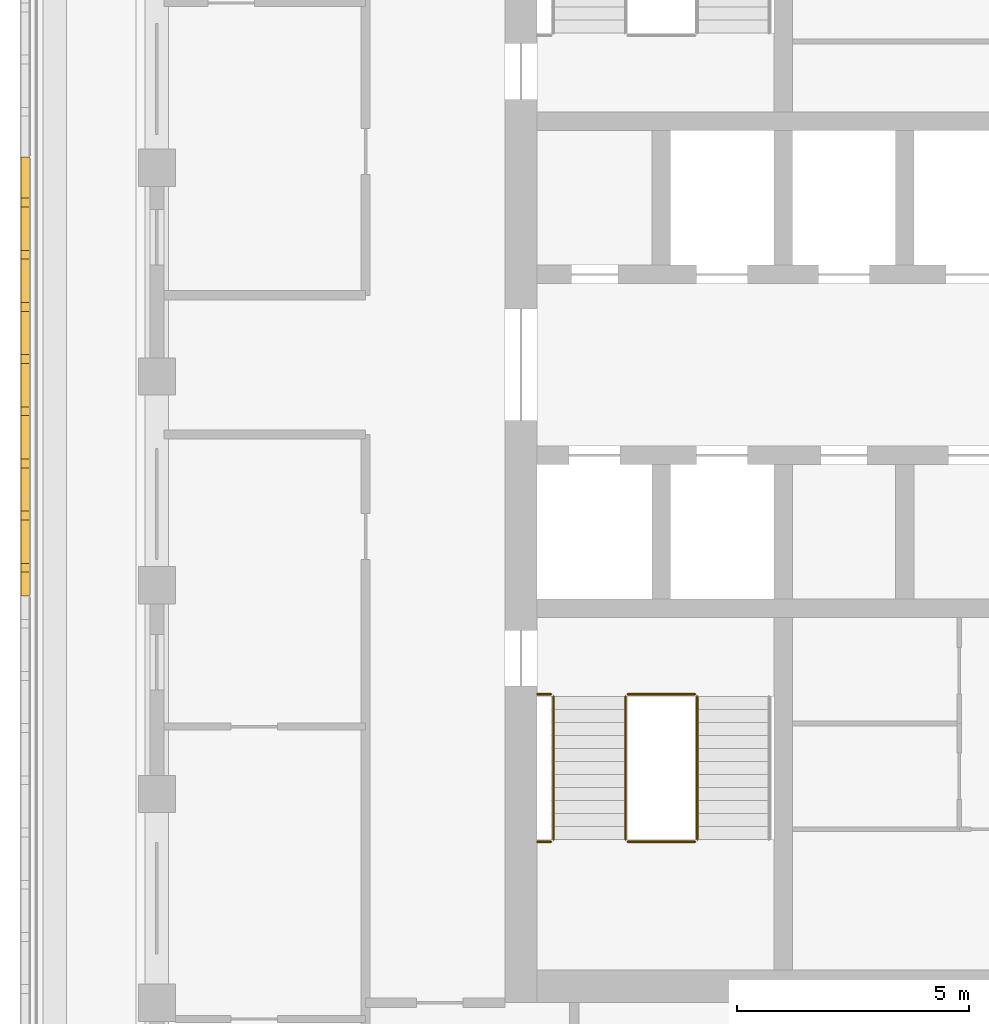
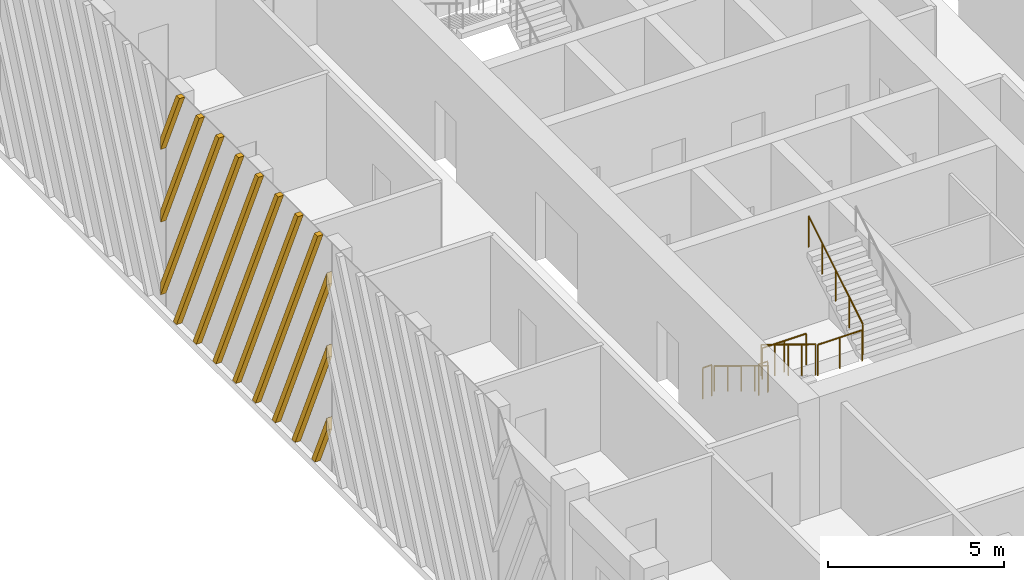
# One storey, part 10 of 17: 7 railings, 1 shading device.
"""IFC4 building model written with IfcOpenShell, lengths in metres."""

import ifcopenshell
import ifcopenshell.guid

model = None  # the IFC model being written
_history = None  # IfcOwnerHistory: only IFC2X3 demands one
_inside = {}  # id of a spatial element -> (the spatial element, [elements in it])
_under = {}  # id of a project, library or spatial element -> (it, [spatial elements below it])
_declared = {}  # id of a project -> (the project, [libraries it declares])
_typed = {}  # id of a type object -> (the type object, [elements of that type])
_made_of = {}  # id of a material, layer set ... -> (it, [elements and type objects made of it])


def new_model(schema):
    """Start an empty IFC model of exactly this schema.

    Asked for "IFC4X3", IfcOpenShell would pick the latest addendum, in which some entities
    have other attributes; the version numbers below select the first issue.
    IFC2X3 requires an IfcOwnerHistory on every rooted entity: one is made here for all.
    """
    global model, _history
    if schema == "IFC4X3":
        model = ifcopenshell.file(schema_version=(4, 3, 0, 0))
    else:
        model = ifcopenshell.file(schema=schema)
    _inside.clear()
    _under.clear()
    _declared.clear()
    _typed.clear()
    _made_of.clear()
    _history = None
    if model.schema == "IFC2X3":
        org = make("IfcOrganization", Name="unknown")
        user = make(
            "IfcPersonAndOrganization",
            ThePerson=make("IfcPerson", FamilyName="unknown"),
            TheOrganization=org,
        )
        app = make(
            "IfcApplication",
            ApplicationDeveloper=org,
            Version="unknown",
            ApplicationFullName="unknown",
            ApplicationIdentifier="unknown",
        )
        _history = make(
            "IfcOwnerHistory",
            OwningUser=user,
            OwningApplication=app,
            ChangeAction="ADDED",
            CreationDate=0,
        )
    return model


def make(cls, **values):
    """One entity of the class cls with the attributes given. An attribute that is None is left unset."""
    return model.create_entity(
        cls, **{name: value for name, value in values.items() if value is not None}
    )


def rooted(cls, **values):
    """An entity with a GlobalId (a new one), such as an element, a storey or a relation."""
    return make(cls, GlobalId=ifcopenshell.guid.new(), OwnerHistory=_history, **values)


def si_unit(unit_type, name, prefix=None):
    """IfcSIUnit, for example si_unit("LENGTHUNIT", "METRE", prefix="MILLI")."""
    return make("IfcSIUnit", UnitType=unit_type, Prefix=prefix, Name=name)


def assignment(units):
    """IfcUnitAssignment: the units of a project."""
    return None if units is None else make("IfcUnitAssignment", Units=units)


def point(xyz):
    """IfcCartesianPoint."""
    return None if xyz is None else make("IfcCartesianPoint", Coordinates=xyz)


def direction(xyz):
    """IfcDirection."""
    return None if xyz is None else make("IfcDirection", DirectionRatios=xyz)


def frame(location, z_axis=None, x_axis=None):
    """IfcAxis2Placement3D, a coordinate frame: its origin and axes. An axis left out is left unset."""
    return make(
        "IfcAxis2Placement3D",
        Location=point(location),
        Axis=direction(z_axis),
        RefDirection=direction(x_axis),
    )


def frame_2d(location, x_axis=None):
    """IfcAxis2Placement2D, a coordinate frame in the plane: its origin and x axis."""
    return make(
        "IfcAxis2Placement2D", Location=point(location), RefDirection=direction(x_axis)
    )


def origin():
    """The frame at (0, 0, 0) with its axes left unset."""
    return frame((0.0, 0.0, 0.0))


def origin_2d():
    """The frame at (0, 0) in the plane with its x axis left unset."""
    return frame_2d((0.0, 0.0))


def place(relative_to, where):
    """IfcLocalPlacement: puts the frame where relative to a parent placement (None: the world)."""
    return make(
        "IfcLocalPlacement", PlacementRelTo=relative_to, RelativePlacement=where
    )


def context(
    kind, dimensions, precision=None, world=None, true_north=None, identifier=None
):
    """IfcGeometricRepresentationContext, for example the 3D "Model" context."""
    return make(
        "IfcGeometricRepresentationContext",
        ContextIdentifier=identifier,
        ContextType=kind,
        CoordinateSpaceDimension=dimensions,
        Precision=precision,
        WorldCoordinateSystem=world,
        TrueNorth=true_north,
    )


def subcontext(parent, identifier, kind, view, scale=None):
    """IfcGeometricRepresentationSubContext, for example "Body" below "Model"."""
    return make(
        "IfcGeometricRepresentationSubContext",
        ContextIdentifier=identifier,
        ContextType=kind,
        ParentContext=parent,
        TargetScale=scale,
        TargetView=view,
    )


def project(units=None, contexts=None):
    """IfcProject with its units and contexts."""
    return rooted(
        "IfcProject",
        Name="project",
        RepresentationContexts=contexts,
        UnitsInContext=assignment(units),
    )


def spatial(cls, under=None, at=None, **own):
    """A site, building, storey or space (cls), placed at a placement, below another one or the project."""
    s = rooted(cls, ObjectPlacement=at, **own)
    if under is not None:
        _under.setdefault(under.id(), (under, []))[1].append(s)
    return s


def polyline(points):
    """IfcPolyline through the points."""
    return make("IfcPolyline", Points=[point(p) for p in points])


def profile(cls, at=None, kind="AREA", **sizes):
    """A parametric profile (cls). Its sizes go by their IFC names, for example OverallWidth=200.0."""
    return make(cls, ProfileType=kind, Position=at, **sizes)


def circle(**sizes):
    """IfcCircleProfileDef."""
    return profile("IfcCircleProfileDef", **sizes)


def outline(outer, holes=None, kind="AREA"):
    """IfcArbitraryClosedProfileDef: a profile drawn as a closed curve; with holes, ...WithVoids."""
    if holes is None:
        return make("IfcArbitraryClosedProfileDef", ProfileType=kind, OuterCurve=outer)
    return make(
        "IfcArbitraryProfileDefWithVoids",
        ProfileType=kind,
        OuterCurve=outer,
        InnerCurves=holes,
    )


def extrude(swept, where, along, depth):
    """IfcExtrudedAreaSolid: the profile swept, set in the frame where, extruded along a direction by depth."""
    return make(
        "IfcExtrudedAreaSolid",
        SweptArea=swept,
        Position=where,
        ExtrudedDirection=direction(along),
        Depth=depth,
    )


def shape(context_of_items, identifier, shape_type, items):
    """IfcShapeRepresentation: the items that make up one representation, for example the "Body"."""
    return make(
        "IfcShapeRepresentation",
        ContextOfItems=context_of_items,
        RepresentationIdentifier=identifier,
        RepresentationType=shape_type,
        Items=items,
    )


def source(mapping_origin, context_of_items, identifier, shape_type, items):
    """IfcRepresentationMap: a shape defined once, which mapped items show again and again."""
    return make(
        "IfcRepresentationMap",
        MappingOrigin=mapping_origin,
        MappedRepresentation=shape(context_of_items, identifier, shape_type, items),
    )


def transform(
    local_origin,
    x_axis=None,
    y_axis=None,
    z_axis=None,
    scale=None,
    scale2=None,
    scale3=None,
    uniform=True,
):
    """IfcCartesianTransformationOperator3D, or its non-uniform kind. x_axis, y_axis, z_axis: its Axis1, 2, 3."""
    if uniform:
        return make(
            "IfcCartesianTransformationOperator3D",
            Axis1=direction(x_axis),
            Axis2=direction(y_axis),
            LocalOrigin=point(local_origin),
            Scale=scale,
            Axis3=direction(z_axis),
        )
    return make(
        "IfcCartesianTransformationOperator3DnonUniform",
        Axis1=direction(x_axis),
        Axis2=direction(y_axis),
        LocalOrigin=point(local_origin),
        Scale=scale,
        Axis3=direction(z_axis),
        Scale2=scale2,
        Scale3=scale3,
    )


def mapped(mapping_source, mapping_target):
    """IfcMappedItem: shows the shape of a source again, moved by a transform."""
    return make(
        "IfcMappedItem", MappingSource=mapping_source, MappingTarget=mapping_target
    )


def material(Name=None, Category=None):
    """IfcMaterial."""
    return make("IfcMaterial", Name=Name, Category=Category)


def made_of(thing, what):
    """Note that an element or type object is made of a material, layer set ...; save() writes the relation."""
    if what is not None:
        _made_of.setdefault(what.id(), (what, []))[1].append(thing)
    return thing


def type_object(cls, material=None, **own):
    """A type object (cls), such as IfcWallType, which elements share."""
    return made_of(rooted(cls, **own), material)


def element(
    cls,
    number,
    at=None,
    inside=None,
    cuts=None,
    type_object=None,
    material=None,
    context=None,
    identifier="Body",
    shape_type=None,
    held_by="IfcProductDefinitionShape",
    body=None,
    shapes=None,
    **own,
):
    """One element of the class cls, such as IfcWall. Its Tag is "e" and its number.

    at: its placement. inside: the storey or other place that contains it. cuts: it is an
    opening in that element (IfcRelVoidsElement). A single representation is given by context,
    identifier, shape_type and body (its items); several are given by shapes. held_by: the class
    of the entity that holds the representations. save() writes the other relations.
    """
    e = rooted(cls, Tag="e%d" % number, ObjectPlacement=at, **own)
    if body is not None:
        shapes = [shape(context, identifier, shape_type, body)]
    if shapes is not None:
        e.Representation = make(held_by, Representations=shapes)
    if inside is not None:
        _inside.setdefault(inside.id(), (inside, []))[1].append(e)
    if cuts is not None:
        rooted(
            "IfcRelVoidsElement", RelatingBuildingElement=cuts, RelatedOpeningElement=e
        )
    if type_object is not None:
        _typed.setdefault(type_object.id(), (type_object, []))[1].append(e)
    return made_of(e, material)


def aggregate(whole, parts):
    """IfcRelAggregates: a whole, such as a stair, and the parts it consists of."""
    return rooted("IfcRelAggregates", RelatingObject=whole, RelatedObjects=parts)


def save(model, path):
    """Write the relations noted so far, then the file.

    IfcRelAggregates (storeys below a building ...), IfcRelContainedInSpatialStructure (elements
    in a storey), IfcRelDefinesByType, IfcRelAssociatesMaterial and IfcRelDeclares: one each for
    every whole, place, type object, material and project.
    """
    for whole, parts in _under.values():
        aggregate(whole, parts)
    for where, things in _inside.values():
        rooted(
            "IfcRelContainedInSpatialStructure",
            RelatedElements=things,
            RelatingStructure=where,
        )
    for kind, things in _typed.values():
        rooted("IfcRelDefinesByType", RelatedObjects=things, RelatingType=kind)
    for what, things in _made_of.values():
        rooted("IfcRelAssociatesMaterial", RelatedObjects=things, RelatingMaterial=what)
    for by, libraries in _declared.values():
        rooted("IfcRelDeclares", RelatingContext=by, RelatedDefinitions=libraries)
    model.write(path)


model = new_model("IFC4")

# Units and contexts
model_context = context("Model", 3, precision=1e-05, world=origin(), true_north=direction((0.0, 1.0)))
body_context = subcontext(model_context, "Body", "Model", "MODEL_VIEW")
ifc_project = project(units=[si_unit("LENGTHUNIT", "METRE"), si_unit("AREAUNIT", "SQUARE_METRE"), si_unit("VOLUMEUNIT", "CUBIC_METRE"), si_unit("PLANEANGLEUNIT", "RADIAN"), si_unit("MASSUNIT", "GRAM", prefix="KILO")], contexts=[model_context])

# Site, building, storey
site_placement = place(None, origin())
site = spatial("IfcSite", under=ifc_project, at=site_placement, CompositionType="ELEMENT")
building_placement = place(site_placement, origin())
building = spatial("IfcBuilding", under=site, at=building_placement, Name="Corbel Stack Research Tower", CompositionType="ELEMENT")
storey_placement = place(building_placement, frame((0.0, 0.0, 239.800048828125)))
storey = spatial("IfcBuildingStorey", under=building, at=storey_placement, Name="L54", CompositionType="ELEMENT", Elevation=239.800048828125)

# Railings
ifc_material_1 = material(Name="Steel S355", Category="steel")
railing_type_1 = type_object("IfcRailingType", Name="Stair guard 1100", PredefinedType="GUARDRAIL", material=ifc_material_1)
railing_1_placement = place(storey_placement, frame((-7.89990234375, -2.39990234375, 0.1708984375)))
element("IfcRailing", 1, at=railing_1_placement, inside=storey, type_object=railing_type_1, Name="L54 ST-W1 stair guard 1", PredefinedType="GUARDRAIL", context=body_context, shape_type="SweptSolid", body=[
    extrude(circle(Radius=0.02392578125, at=origin_2d()), frame((0.0, 0.0, 1.076171875), z_axis=(0.0, -0.853666305674, 0.52082035152), x_axis=(1.0, 0.0, 0.0)), (0.0, 0.0, 1.0), 3.608154296875),
    extrude(circle(Radius=0.02099609375, at=origin_2d()), origin(), (0.0, 0.0, 1.0), 1.052001953125),
    extrude(circle(Radius=0.02099609375, at=origin_2d()), frame((0.0, -0.77001953125, 0.4697265625)), (0.0, 0.0, 1.0), 1.052001953125),
    extrude(circle(Radius=0.02099609375, at=origin_2d()), frame((0.0, -1.5400390625, 0.939453125)), (0.0, 0.0, 1.0), 1.052001953125),
    extrude(circle(Radius=0.02099609375, at=origin_2d()), frame((0.0, -2.31005859375, 1.409423828125)), (0.0, 0.0, 1.0), 1.052001953125),
    extrude(circle(Radius=0.02099609375, at=origin_2d()), frame((0.0, -3.080078125, 1.879150390625)), (0.0, 0.0, 1.0), 1.052001953125),
])
railing_2_placement = place(storey_placement, frame((-7.85009765625, -5.530029296875, 2.050048828125)))
element("IfcRailing", 2, at=railing_2_placement, inside=storey, type_object=railing_type_1, Name="L54 ST-W1 stair guard 2", PredefinedType="GUARDRAIL", context=body_context, shape_type="SweptSolid", body=[
    extrude(circle(Radius=0.02392578125, at=origin_2d()), frame((0.0, 0.0, 1.076171875), z_axis=(1.0, 0.0, 0.0), x_axis=(0.0, 1.0, 0.0)), (0.0, 0.0, 1.0), 1.4501953125),
    extrude(circle(Radius=0.02099609375, at=origin_2d()), origin(), (0.0, 0.0, 1.0), 1.052001953125),
    extrude(circle(Radius=0.02099609375, at=origin_2d()), frame((0.72509765625, 0.0, 0.0)), (0.0, 0.0, 1.0), 1.052001953125),
    extrude(circle(Radius=0.02099609375, at=origin_2d()), frame((1.4501953125, 0.0, 0.0)), (0.0, 0.0, 1.0), 1.052001953125),
])
railing_3_placement = place(storey_placement, frame((-9.800048828125, -5.530029296875, 2.050048828125)))
element("IfcRailing", 3, at=railing_3_placement, inside=storey, type_object=railing_type_1, Name="L54 ST-W1 stair guard 3", PredefinedType="GUARDRAIL", context=body_context, shape_type="SweptSolid", body=[
    extrude(circle(Radius=0.02392578125, at=origin_2d()), frame((0.0, 0.0, 1.076171875), z_axis=(1.0, 0.0, 0.0), x_axis=(0.0, 1.0, 0.0)), (0.0, 0.0, 1.0), 0.300048828125),
    extrude(circle(Radius=0.02099609375, at=origin_2d()), origin(), (0.0, 0.0, 1.0), 1.052001953125),
    extrude(circle(Radius=0.02099609375, at=origin_2d()), frame((0.300048828125, 0.0, 0.0)), (0.0, 0.0, 1.0), 1.052001953125),
])
railing_4_placement = place(storey_placement, frame((-6.35009765625, -5.47998046875, 2.220703125)))
element("IfcRailing", 4, at=railing_4_placement, inside=storey, type_object=railing_type_1, Name="L54 ST-W1 stair guard 4", PredefinedType="GUARDRAIL", context=body_context, shape_type="SweptSolid", body=[
    extrude(circle(Radius=0.02392578125, at=origin_2d()), frame((0.0, 0.0, 1.076171875), z_axis=(0.0, 0.853666305674, 0.52082035152), x_axis=(-1.0, 0.0, 0.0)), (0.0, 0.0, 1.0), 3.608154296875),
    extrude(circle(Radius=0.02099609375, at=origin_2d()), origin(), (0.0, 0.0, 1.0), 1.052001953125),
    extrude(circle(Radius=0.02099609375, at=origin_2d()), frame((0.0, 0.77001953125, 0.4697265625)), (0.0, 0.0, 1.0), 1.052001953125),
    extrude(circle(Radius=0.02099609375, at=origin_2d()), frame((0.0, 1.5400390625, 0.939453125)), (0.0, 0.0, 1.0), 1.052001953125),
    extrude(circle(Radius=0.02099609375, at=origin_2d()), frame((0.0, 2.31005859375, 1.409423828125)), (0.0, 0.0, 1.0), 1.052001953125),
    extrude(circle(Radius=0.02099609375, at=origin_2d()), frame((0.0, 3.080078125, 1.879150390625)), (0.0, 0.0, 1.0), 1.052001953125),
])
railing_5_placement = place(storey_placement, frame((-7.85009765625, -2.35009765625, 0.0)))
element("IfcRailing", 5, at=railing_5_placement, inside=storey, type_object=railing_type_1, Name="L54 ST-W1 stair guard 5", PredefinedType="GUARDRAIL", context=body_context, shape_type="SweptSolid", body=[
    extrude(circle(Radius=0.02392578125, at=origin_2d()), frame((0.0, 0.0, 1.076171875), z_axis=(1.0, 0.0, 0.0), x_axis=(0.0, 1.0, 0.0)), (0.0, 0.0, 1.0), 1.4501953125),
    extrude(circle(Radius=0.02099609375, at=origin_2d()), origin(), (0.0, 0.0, 1.0), 1.052001953125),
    extrude(circle(Radius=0.02099609375, at=origin_2d()), frame((0.72509765625, 0.0, 0.0)), (0.0, 0.0, 1.0), 1.052001953125),
    extrude(circle(Radius=0.02099609375, at=origin_2d()), frame((1.4501953125, 0.0, 0.0)), (0.0, 0.0, 1.0), 1.052001953125),
])
railing_6_placement = place(storey_placement, frame((-9.800048828125, -2.35009765625, 0.0)))
element("IfcRailing", 6, at=railing_6_placement, inside=storey, type_object=railing_type_1, Name="L54 ST-W1 stair guard 6", PredefinedType="GUARDRAIL", context=body_context, shape_type="SweptSolid", body=[
    extrude(circle(Radius=0.02392578125, at=origin_2d()), frame((0.0, 0.0, 1.076171875), z_axis=(1.0, 0.0, 0.0), x_axis=(0.0, 1.0, 0.0)), (0.0, 0.0, 1.0), 0.300048828125),
    extrude(circle(Radius=0.02099609375, at=origin_2d()), origin(), (0.0, 0.0, 1.0), 1.052001953125),
    extrude(circle(Radius=0.02099609375, at=origin_2d()), frame((0.300048828125, 0.0, 0.0)), (0.0, 0.0, 1.0), 1.052001953125),
])
ifc_material_2 = material(Name="Steel S355", Category="steel")
railing_type_2 = type_object("IfcRailingType", Name="Stair handrail 900", PredefinedType="HANDRAIL", material=ifc_material_2)
railing_7_placement = place(storey_placement, frame((-9.449951171875, -2.39990234375, 0.1708984375)))
element("IfcRailing", 7, at=railing_7_placement, inside=storey, type_object=railing_type_2, Name="L54 ST-W1 stair handrail 1", PredefinedType="HANDRAIL", context=body_context, shape_type="SweptSolid", body=[
    extrude(circle(Radius=0.02392578125, at=origin_2d()), frame((0.0, 0.0, 0.8759765625), z_axis=(0.0, -0.853666305674, 0.52082035152), x_axis=(1.0, 0.0, 0.0)), (0.0, 0.0, 1.0), 3.608154296875),
    extrude(circle(Radius=0.02099609375, at=origin_2d()), origin(), (0.0, 0.0, 1.0), 0.851806640625),
    extrude(circle(Radius=0.02099609375, at=origin_2d()), frame((0.0, -0.77001953125, 0.4697265625)), (0.0, 0.0, 1.0), 0.851806640625),
    extrude(circle(Radius=0.02099609375, at=origin_2d()), frame((0.0, -1.5400390625, 0.939453125)), (0.0, 0.0, 1.0), 0.851806640625),
    extrude(circle(Radius=0.02099609375, at=origin_2d()), frame((0.0, -2.31005859375, 1.409423828125)), (0.0, 0.0, 1.0), 0.851806640625),
    extrude(circle(Radius=0.02099609375, at=origin_2d()), frame((0.0, -3.080078125, 1.879150390625)), (0.0, 0.0, 1.0), 0.851806640625),
])

# Shading device
ifc_material_3 = material(Name="Precast terracotta", Category="masonry")
shading_device_type = type_object("IfcShadingDeviceType", Name="Terracotta screen panel", PredefinedType="USERDEFINED", material=ifc_material_3)
shared_shape = source(origin(), body_context, "Body", "SweptSolid", [
    extrude(outline(polyline([(1.072998046875, 7.949951171875), (0.883056640625, 7.949951171875), (0.0, 5.966552734375), (0.0, 5.539794921875), (1.072998046875, 7.949951171875)])), frame((0.0, 0.0, 0.0), z_axis=(0.0, -1.0, 0.0), x_axis=(1.0, 0.0, 0.0)), (0.0, 0.0, 1.0), 0.179931640625),
    extrude(outline(polyline([(2.197998046875, 7.949951171875), (2.008056640625, 7.949951171875), (0.0, 3.439697265625), (0.0, 3.01318359375), (2.197998046875, 7.949951171875)])), frame((0.0, 0.0, 0.0), z_axis=(0.0, -1.0, 0.0), x_axis=(1.0, 0.0, 0.0)), (0.0, 0.0, 1.0), 0.179931640625),
    extrude(outline(polyline([(3.322998046875, 7.949951171875), (3.133056640625, 7.949951171875), (0.0, 0.9130859375), (0.0, 0.486328125), (3.322998046875, 7.949951171875)])), frame((0.0, 0.0, 0.0), z_axis=(0.0, -1.0, 0.0), x_axis=(1.0, 0.0, 0.0)), (0.0, 0.0, 1.0), 0.179931640625),
    extrude(outline(polyline([(0.908447265625, 0.0), (4.447998046875, 7.949951171875), (4.258056640625, 7.949951171875), (0.718505859375, 0.0), (0.908447265625, 0.0)])), frame((0.0, 0.0, 0.0), z_axis=(0.0, -1.0, 0.0), x_axis=(1.0, 0.0, 0.0)), (0.0, 0.0, 1.0), 0.179931640625),
    extrude(outline(polyline([(2.033447265625, 0.0), (5.572998046875, 7.949951171875), (5.383056640625, 7.949951171875), (1.843505859375, 0.0), (2.033447265625, 0.0)])), frame((0.0, 0.0, 0.0), z_axis=(0.0, -1.0, 0.0), x_axis=(1.0, 0.0, 0.0)), (0.0, 0.0, 1.0), 0.179931640625),
    extrude(outline(polyline([(3.158447265625, 0.0), (6.697998046875, 7.949951171875), (6.508056640625, 7.949951171875), (2.968505859375, 0.0), (3.158447265625, 0.0)])), frame((0.0, 0.0, 0.0), z_axis=(0.0, -1.0, 0.0), x_axis=(1.0, 0.0, 0.0)), (0.0, 0.0, 1.0), 0.179931640625),
    extrude(outline(polyline([(4.283447265625, 0.0), (7.822998046875, 7.949951171875), (7.633056640625, 7.949951171875), (4.093505859375, 0.0), (4.283447265625, 0.0)])), frame((0.0, 0.0, 0.0), z_axis=(0.0, -1.0, 0.0), x_axis=(1.0, 0.0, 0.0)), (0.0, 0.0, 1.0), 0.179931640625),
    extrude(outline(polyline([(5.408447265625, 0.0), (8.947998046875, 7.949951171875), (8.758056640625, 7.949951171875), (5.218505859375, 0.0), (5.408447265625, 0.0)])), frame((0.0, 0.0, 0.0), z_axis=(0.0, -1.0, 0.0), x_axis=(1.0, 0.0, 0.0)), (0.0, 0.0, 1.0), 0.179931640625),
    extrude(outline(polyline([(6.533447265625, 0.0), (9.45556640625, 6.563232421875), (9.45556640625, 6.989990234375), (6.343505859375, 0.0), (6.533447265625, 0.0)])), frame((0.0, 0.0, 0.0), z_axis=(0.0, -1.0, 0.0), x_axis=(1.0, 0.0, 0.0)), (0.0, 0.0, 1.0), 0.179931640625),
    extrude(outline(polyline([(7.658447265625, 0.0), (9.45556640625, 4.036376953125), (9.45556640625, 4.463134765625), (7.468505859375, 0.0), (7.658447265625, 0.0)])), frame((0.0, 0.0, 0.0), z_axis=(0.0, -1.0, 0.0), x_axis=(1.0, 0.0, 0.0)), (0.0, 0.0, 1.0), 0.179931640625),
    extrude(outline(polyline([(8.783447265625, 0.0), (9.45556640625, 1.509521484375), (9.45556640625, 1.936279296875), (8.593505859375, 0.0), (8.783447265625, 0.0)])), frame((0.0, 0.0, 0.0), z_axis=(0.0, -1.0, 0.0), x_axis=(1.0, 0.0, 0.0)), (0.0, 0.0, 1.0), 0.179931640625),
])
shading_device_placement = place(storey_placement, frame((-20.75, 9.227783203125, 0.0), z_axis=(0.0, 0.0, 1.0), x_axis=(0.0, -1.0, 0.0)))
element("IfcShadingDevice", 8, at=shading_device_placement, inside=storey, type_object=shading_device_type, Name="Terracotta screen L54 W3", ObjectType="SCREEN", PredefinedType="USERDEFINED", context=body_context, shape_type="MappedRepresentation", body=[
    mapped(shared_shape, transform((0.0, 0.0, 0.0))),
])

save(model, "model.ifc")
